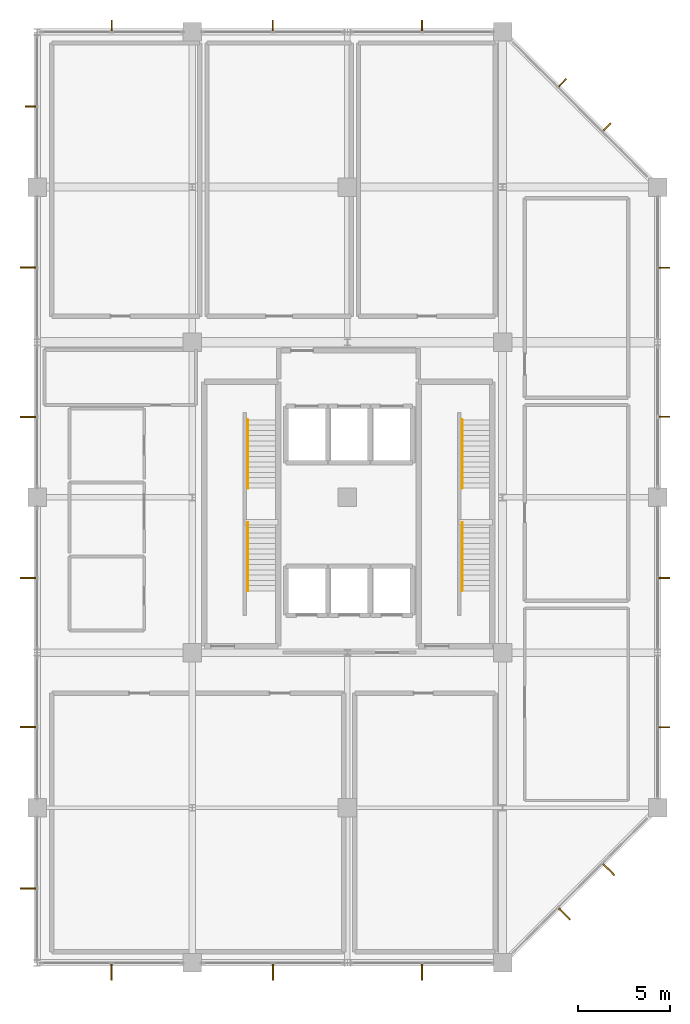
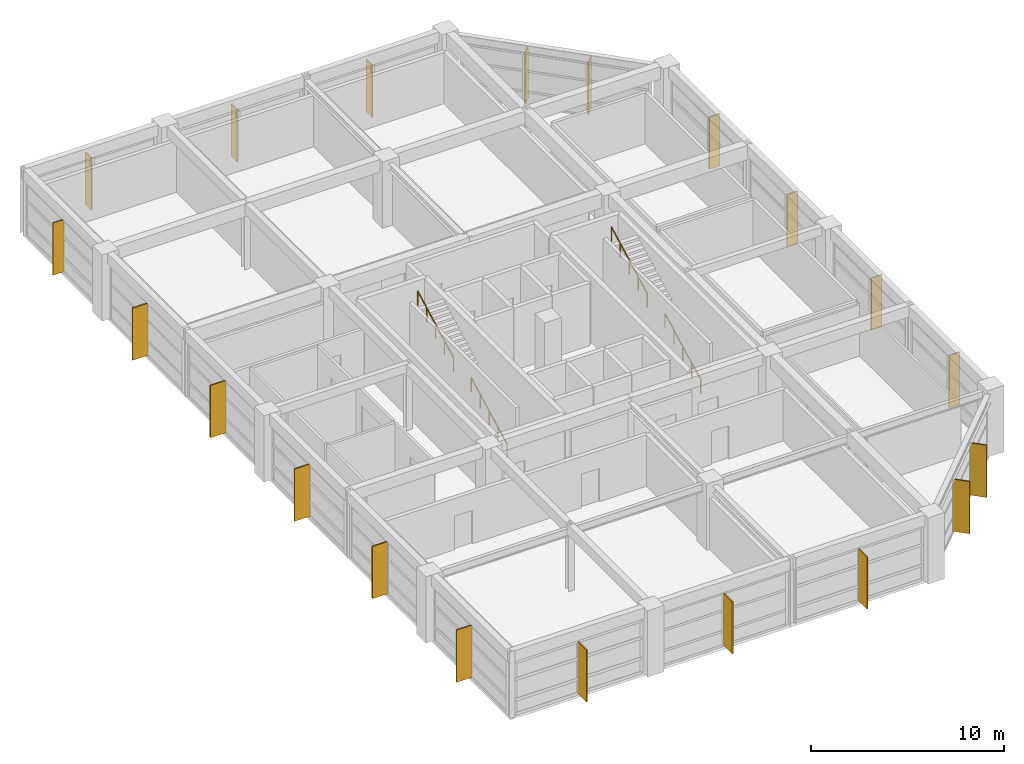
# One storey, part 16 of 16: 20 shading devices, 4 railings.
"""IFC4 building model written with IfcOpenShell, lengths in metres."""

from ifc_helpers import new_model, si_unit, direction, frame, origin, origin_2d, place, context, subcontext, project, spatial, rectangle, circle, extrude, material, type_object, element, save


model = new_model("IFC4")

# Units and contexts
model_context = context("Model", 3, precision=1e-05, world=origin(), true_north=direction((0.0, 1.0)))
body_context = subcontext(model_context, "Body", "Model", "MODEL_VIEW")
ifc_project = project(units=[si_unit("LENGTHUNIT", "METRE"), si_unit("AREAUNIT", "SQUARE_METRE"), si_unit("VOLUMEUNIT", "CUBIC_METRE"), si_unit("PLANEANGLEUNIT", "RADIAN"), si_unit("MASSUNIT", "GRAM", prefix="KILO")], contexts=[model_context])

# Site, building, storey
site_placement = place(None, origin())
site = spatial("IfcSite", under=ifc_project, at=site_placement, CompositionType="ELEMENT")
building_placement = place(site_placement, origin())
building = spatial("IfcBuilding", under=site, at=building_placement, Name="Xuanlan Plaza Opera House", CompositionType="ELEMENT")
storey_placement = place(building_placement, frame((0.0, 0.0, 48.89990234375)))
storey = spatial("IfcBuildingStorey", under=building, at=storey_placement, Name="L11", CompositionType="ELEMENT", Elevation=48.89990234375)

# Shading devices
ifc_material_1 = material(Name="Anodised Aluminium 6063-T6", Category="aluminium")
shading_device_type_1 = type_object("IfcShadingDeviceType", Name="ENV-SHD-BRS01", PredefinedType="JALOUSIE", material=ifc_material_1)
for number, where, z_axis, x_axis, name in (
    (1, (159.925048828125, 46.362548828125, 0.0400390625), (0.0, 0.0, 1.0), (1.0, 0.0, 0.0), "Parametric Sunshade Fin L11-0388"),
    (2, (159.925048828125, 54.4375, 0.0400390625), (0.0, 0.0, 1.0), (1.0, 0.0, 0.0), "Parametric Sunshade Fin L11-0389"),
    (3, (159.925048828125, 63.16259765625, 0.0400390625), (0.0, 0.0, 1.0), (1.0, 0.0, 0.0), "Parametric Sunshade Fin L11-0390"),
    (4, (159.925048828125, 71.237548828125, 0.0400390625), (0.0, 0.0, 1.0), (1.0, 0.0, 0.0), "Parametric Sunshade Fin L11-0391"),
    (5, (156.830078125, 78.82958984375, 0.0400390625), (0.0, 0.0, 1.0), (0.707106781187, 0.707106781187, 0.0), "Parametric Sunshade Fin L11-0392"),
    (6, (154.429443359375, 81.22998046875, 0.0400390625), (0.0, 0.0, 1.0), (0.707106781187, 0.707106781187, 0.0), "Parametric Sunshade Fin L11-0393"),
    (7, (146.83740234375, 84.324951171875, 0.0400390625), (0.0, 0.0, 1.0), (0.0, 1.0, 0.0), "Parametric Sunshade Fin L11-0394"),
    (8, (138.762451171875, 84.324951171875, 0.0400390625), (0.0, 0.0, 1.0), (0.0, 1.0, 0.0), "Parametric Sunshade Fin L11-0395"),
    (9, (130.03759765625, 84.324951171875, 0.0400390625), (0.0, 0.0, 1.0), (0.0, 1.0, 0.0), "Parametric Sunshade Fin L11-0396"),
    (10, (125.675048828125, 79.96240234375, 0.0400390625), (0.0, 0.0, 1.0), (-1.0, 0.0, 0.0), "Parametric Sunshade Fin L11-0397"),
):
    element("IfcShadingDevice", number, at=place(storey_placement, frame(where, z_axis=z_axis, x_axis=x_axis)), inside=storey, type_object=shading_device_type_1, Name=name, PredefinedType="JALOUSIE", context=body_context, shape_type="SweptSolid", body=[
        extrude(rectangle(XDim=0.639892578125, YDim=0.070068359375, at=origin_2d()), origin(), (0.0, 0.0, 1.0), 3.300048828125),
    ])
shading_device_type_2 = type_object("IfcShadingDeviceType", Name="ENV-SHD-BRS02", PredefinedType="JALOUSIE", material=ifc_material_1)
for number, where, z_axis, x_axis, name in (
    (11, (130.03759765625, 33.135009765625, 0.0400390625), (0.0, 0.0, 1.0), (0.0, -1.0, 0.0), "Parametric Sunshade Fin L11-0383"),
    (12, (138.762451171875, 33.135009765625, 0.0400390625), (0.0, 0.0, 1.0), (0.0, -1.0, 0.0), "Parametric Sunshade Fin L11-0384"),
    (13, (146.83740234375, 33.135009765625, 0.0400390625), (0.0, 0.0, 1.0), (0.0, -1.0, 0.0), "Parametric Sunshade Fin L11-0385"),
    (14, (154.528564453125, 36.27099609375, 0.0400390625), (0.0, 0.0, 1.0), (0.707106781187, -0.707106781187, 0.0), "Parametric Sunshade Fin L11-0386"),
    (15, (156.92919921875, 38.67138671875, 0.0400390625), (0.0, 0.0, 1.0), (0.707106781187, -0.707106781187, 0.0), "Parametric Sunshade Fin L11-0387"),
    (16, (125.534912109375, 71.237548828125, 0.0400390625), (0.0, 0.0, 1.0), (-1.0, 0.0, 0.0), "Parametric Sunshade Fin L11-0398"),
    (17, (125.534912109375, 63.16259765625, 0.0400390625), (0.0, 0.0, 1.0), (-1.0, 0.0, 0.0), "Parametric Sunshade Fin L11-0399"),
    (18, (125.534912109375, 54.4375, 0.0400390625), (0.0, 0.0, 1.0), (-1.0, 0.0, 0.0), "Parametric Sunshade Fin L11-0400"),
    (19, (125.534912109375, 46.362548828125, 0.0400390625), (0.0, 0.0, 1.0), (-1.0, 0.0, 0.0), "Parametric Sunshade Fin L11-0401"),
    (20, (125.534912109375, 37.637451171875, 0.0400390625), (0.0, 0.0, 1.0), (-1.0, 0.0, 0.0), "Parametric Sunshade Fin L11-0402"),
):
    element("IfcShadingDevice", number, at=place(storey_placement, frame(where, z_axis=z_axis, x_axis=x_axis)), inside=storey, type_object=shading_device_type_2, Name=name, PredefinedType="JALOUSIE", context=body_context, shape_type="SweptSolid", body=[
        extrude(rectangle(XDim=0.919921875, YDim=0.080078125, at=origin_2d()), origin(), (0.0, 0.0, 1.0), 3.300048828125),
    ])

# Railings
ifc_material_2 = material(Name="Stainless Steel S30408", Category="steel")
railing_type = type_object("IfcRailingType", Name="INT-RL-HR01", PredefinedType="HANDRAIL", material=ifc_material_2)
railing_1_placement = place(storey_placement, frame((137.409912109375, 53.739990234375, 0.150146484375)))
element("IfcRailing", 21, at=railing_1_placement, inside=storey, type_object=railing_type, Name="Stair Handrail ST-T1 L11 Flight 1", PredefinedType="HANDRAIL", context=body_context, shape_type="SweptSolid", body=[
    extrude(circle(Radius=0.02392578125, at=origin_2d()), frame((0.0, 0.0, 0.8759765625), z_axis=(0.0, 0.88492707638, 0.465729609848), x_axis=(-1.0, 0.0, 0.0)), (0.0, 0.0, 1.0), 4.186767578125),
    extrude(circle(Radius=0.02099609375, at=origin_2d()), origin(), (0.0, 0.0, 1.0), 0.851806640625),
    extrude(circle(Radius=0.02099609375, at=origin_2d()), frame((0.0, 0.92626953125, 0.487548828125)), (0.0, 0.0, 1.0), 0.851806640625),
    extrude(circle(Radius=0.02099609375, at=origin_2d()), frame((0.0, 1.8525390625, 0.97509765625)), (0.0, 0.0, 1.0), 0.851806640625),
    extrude(circle(Radius=0.02099609375, at=origin_2d()), frame((0.0, 2.77880859375, 1.46240234375)), (0.0, 0.0, 1.0), 0.851806640625),
    extrude(circle(Radius=0.02099609375, at=origin_2d()), frame((0.0, 3.705078125, 1.949951171875)), (0.0, 0.0, 1.0), 0.851806640625),
])
railing_2_placement = place(storey_placement, frame((137.409912109375, 59.294921875, 2.25)))
element("IfcRailing", 22, at=railing_2_placement, inside=storey, type_object=railing_type, Name="Stair Handrail ST-T1 L11 Flight 2", PredefinedType="HANDRAIL", context=body_context, shape_type="SweptSolid", body=[
    extrude(circle(Radius=0.02392578125, at=origin_2d()), frame((0.0, 0.0, 0.8759765625), z_axis=(0.0, 0.884903043767, 0.46577527106), x_axis=(-1.0, 0.0, 0.0)), (0.0, 0.0, 1.0), 4.18701171875),
    extrude(circle(Radius=0.02099609375, at=origin_2d()), origin(), (0.0, 0.0, 1.0), 0.851806640625),
    extrude(circle(Radius=0.02099609375, at=origin_2d()), frame((0.0, 0.92626953125, 0.487548828125)), (0.0, 0.0, 1.0), 0.851806640625),
    extrude(circle(Radius=0.02099609375, at=origin_2d()), frame((0.0, 1.8525390625, 0.97509765625)), (0.0, 0.0, 1.0), 0.851806640625),
    extrude(circle(Radius=0.02099609375, at=origin_2d()), frame((0.0, 2.77880859375, 1.462646484375)), (0.0, 0.0, 1.0), 0.851806640625),
    extrude(circle(Radius=0.02099609375, at=origin_2d()), frame((0.0, 3.705078125, 1.9501953125)), (0.0, 0.0, 1.0), 0.851806640625),
])
railing_3_placement = place(storey_placement, frame((149.010009765625, 53.739990234375, 0.150146484375)))
element("IfcRailing", 23, at=railing_3_placement, inside=storey, type_object=railing_type, Name="Stair Handrail ST-T2 L11 Flight 1", PredefinedType="HANDRAIL", context=body_context, shape_type="SweptSolid", body=[
    extrude(circle(Radius=0.02392578125, at=origin_2d()), frame((0.0, 0.0, 0.8759765625), z_axis=(0.0, 0.88492707638, 0.465729609848), x_axis=(-1.0, 0.0, 0.0)), (0.0, 0.0, 1.0), 4.186767578125),
    extrude(circle(Radius=0.02099609375, at=origin_2d()), origin(), (0.0, 0.0, 1.0), 0.851806640625),
    extrude(circle(Radius=0.02099609375, at=origin_2d()), frame((0.0, 0.92626953125, 0.487548828125)), (0.0, 0.0, 1.0), 0.851806640625),
    extrude(circle(Radius=0.02099609375, at=origin_2d()), frame((0.0, 1.8525390625, 0.97509765625)), (0.0, 0.0, 1.0), 0.851806640625),
    extrude(circle(Radius=0.02099609375, at=origin_2d()), frame((0.0, 2.77880859375, 1.46240234375)), (0.0, 0.0, 1.0), 0.851806640625),
    extrude(circle(Radius=0.02099609375, at=origin_2d()), frame((0.0, 3.705078125, 1.949951171875)), (0.0, 0.0, 1.0), 0.851806640625),
])
railing_4_placement = place(storey_placement, frame((149.010009765625, 59.294921875, 2.25)))
element("IfcRailing", 24, at=railing_4_placement, inside=storey, type_object=railing_type, Name="Stair Handrail ST-T2 L11 Flight 2", PredefinedType="HANDRAIL", context=body_context, shape_type="SweptSolid", body=[
    extrude(circle(Radius=0.02392578125, at=origin_2d()), frame((0.0, 0.0, 0.8759765625), z_axis=(0.0, 0.884903043767, 0.46577527106), x_axis=(-1.0, 0.0, 0.0)), (0.0, 0.0, 1.0), 4.18701171875),
    extrude(circle(Radius=0.02099609375, at=origin_2d()), origin(), (0.0, 0.0, 1.0), 0.851806640625),
    extrude(circle(Radius=0.02099609375, at=origin_2d()), frame((0.0, 0.92626953125, 0.487548828125)), (0.0, 0.0, 1.0), 0.851806640625),
    extrude(circle(Radius=0.02099609375, at=origin_2d()), frame((0.0, 1.8525390625, 0.97509765625)), (0.0, 0.0, 1.0), 0.851806640625),
    extrude(circle(Radius=0.02099609375, at=origin_2d()), frame((0.0, 2.77880859375, 1.462646484375)), (0.0, 0.0, 1.0), 0.851806640625),
    extrude(circle(Radius=0.02099609375, at=origin_2d()), frame((0.0, 3.705078125, 1.9501953125)), (0.0, 0.0, 1.0), 0.851806640625),
])

save(model, "model.ifc")
